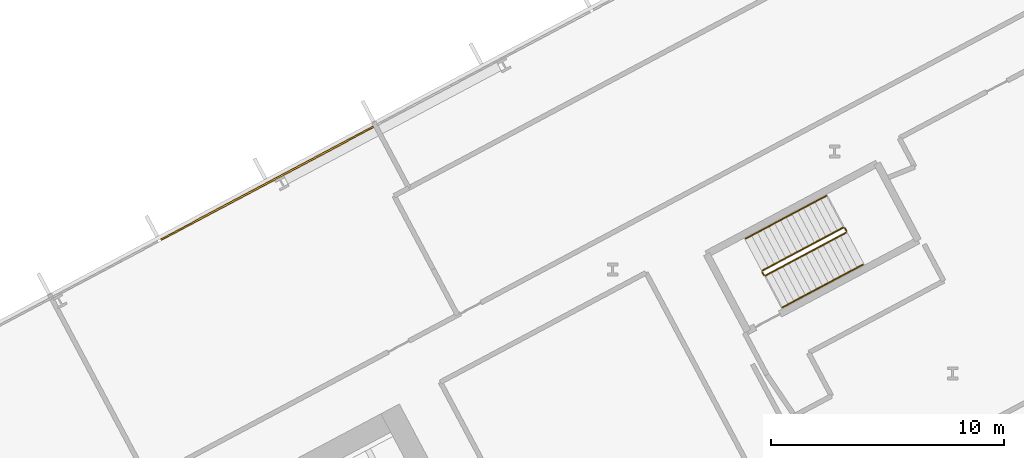
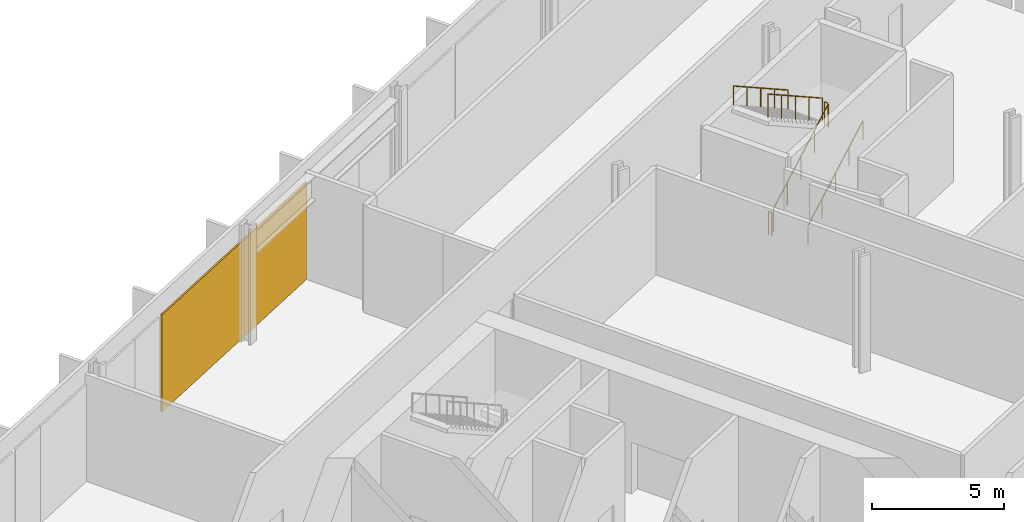
# One storey, part 30 of 31: 6 railings, 1 covering, 1 element without a shape of its own.
"""IFC4 building model written with IfcOpenShell, lengths in metres."""

from ifc_helpers import new_model, si_unit, direction, frame, origin, origin_2d, place, context, subcontext, project, spatial, polyline, rectangle, outline, extrude, material, layer, layer_set, type_object, element, aggregate, save


model = new_model("IFC4")

# Units and contexts
model_context = context("Model", 3, precision=1e-05, world=origin(), true_north=direction((0.0, 1.0)))
body_context = subcontext(model_context, "Body", "Model", "MODEL_VIEW")
ifc_project = project(units=[si_unit("LENGTHUNIT", "METRE"), si_unit("AREAUNIT", "SQUARE_METRE"), si_unit("VOLUMEUNIT", "CUBIC_METRE"), si_unit("PLANEANGLEUNIT", "RADIAN"), si_unit("MASSUNIT", "GRAM", prefix="KILO")], contexts=[model_context])

# Site, building, storey
site_placement = place(None, origin())
site = spatial("IfcSite", under=ifc_project, at=site_placement, CompositionType="ELEMENT")
building_placement = place(site_placement, origin())
building = spatial("IfcBuilding", under=site, at=building_placement, Name="Cormorant Relay Tower", CompositionType="ELEMENT")
storey_placement = place(building_placement, frame((0.0, 0.0, 33.800048828125)))
storey = spatial("IfcBuildingStorey", under=building, at=storey_placement, Name="L06", CompositionType="ELEMENT", Elevation=33.800048828125)

# Curtain wall, covering
ifc_material_1 = material(Name="Aluminium 6063-T6 anodised bronze", Category="aluminium")
ifc_layer_1 = layer(ifc_material_1, 0.235107421875)
ifc_layer_set_1 = layer_set([ifc_layer_1], Name="CW6 data hall curtain wall with mineral wool panels")
curtain_wall_type = type_object("IfcCurtainWallType", Name="CW6 data hall curtain wall with mineral wool panels", PredefinedType="NOTDEFINED", material=ifc_layer_set_1)
curtain_wall_placement = place(storey_placement, origin())
curtain_wall = element("IfcCurtainWall", 1, at=curtain_wall_placement, inside=storey, type_object=curtain_wall_type, Name="CW6 curtain wall 6", PredefinedType="NOTDEFINED")
ifc_material_2 = material(Name="Mineral wool cored anodised bronze aluminium cassette panel", Category="aluminium")
ifc_layer_2 = layer(ifc_material_2, 0.074951171875)
ifc_layer_set_2 = layer_set([ifc_layer_2], Name="CW6 mineral wool cassette panel 75")
covering_type = type_object("IfcCoveringType", Name="CW6 mineral wool cassette panel 75", PredefinedType="CLADDING", material=ifc_layer_set_2)
covering_placement = place(storey_placement, frame((23.193603515625, 36.15869140625, 0.0), z_axis=(0.0, 0.0, 1.0), x_axis=(-0.882947592859, -0.469471562786, 0.0)))
covering = element("IfcCovering", 2, at=covering_placement, type_object=covering_type, Name="CW6 panel S05", PredefinedType="CLADDING", context=body_context, shape_type="SweptSolid", body=[
    extrude(rectangle(XDim=10.365234375, YDim=0.074951171875, at=origin_2d()), origin(), (0.0, 0.0, 1.0), 4.5),
])
aggregate(curtain_wall, [covering])

# Railings
ifc_material_3 = material(Name="Steel ASTM A572 Grade 50 (Fy 345 MPa)", Category="steel")
railing_type_1 = type_object("IfcRailingType", Name="Stair guard 1100", PredefinedType="GUARDRAIL", material=ifc_material_3)
railing_1_placement = place(storey_placement, frame((44.583740234375, 32.186279296875, 0.179931640625)))
element("IfcRailing", 3, at=railing_1_placement, inside=storey, type_object=railing_type_1, Name="L06 RB1 stair guard 1", PredefinedType="GUARDRAIL", context=body_context, shape_type="SweptSolid", body=[
    extrude(outline(polyline([(0.022216796875, 0.00927734375), (0.00927734375, 0.022216796875), (-0.00927734375, 0.022216796875), (-0.022216796875, 0.00927734375), (-0.022216796875, -0.00927734375), (-0.00927734375, -0.022216796875), (0.00927734375, -0.022216796875), (0.022216796875, -0.00927734375), (0.022216796875, 0.00927734375)])), frame((0.0, 0.0, 1.076171875), z_axis=(0.74271721126, 0.394907409077, 0.540758062681), x_axis=(-0.469469396681, 0.882948744594, 0.0)), (0.0, 0.0, 1.0), 4.66015625),
    extrude(outline(polyline([(0.019287109375, 0.008056640625), (0.008056640625, 0.019287109375), (-0.008056640625, 0.019287109375), (-0.019287109375, 0.008056640625), (-0.019287109375, -0.008056640625), (-0.008056640625, -0.019287109375), (0.008056640625, -0.019287109375), (0.019287109375, -0.008056640625), (0.019287109375, 0.008056640625)])), origin(), (0.0, 0.0, 1.0), 1.052001953125),
    extrude(outline(polyline([(0.019287109375, 0.008056640625), (0.008056640625, 0.019287109375), (-0.008056640625, 0.019287109375), (-0.019287109375, 0.008056640625), (-0.019287109375, -0.008056640625), (-0.008056640625, -0.019287109375), (0.008056640625, -0.019287109375), (0.019287109375, -0.008056640625), (0.019287109375, 0.008056640625)])), frame((0.865234375, 0.4599609375, 0.6298828125)), (0.0, 0.0, 1.0), 1.052001953125),
    extrude(outline(polyline([(0.019287109375, 0.008056640625), (0.008056640625, 0.019287109375), (-0.008056640625, 0.019287109375), (-0.019287109375, 0.008056640625), (-0.019287109375, -0.008056640625), (-0.008056640625, -0.019287109375), (0.008056640625, -0.019287109375), (0.019287109375, -0.008056640625), (0.019287109375, 0.008056640625)])), frame((1.73046875, 0.920166015625, 1.260009765625)), (0.0, 0.0, 1.0), 1.052001953125),
    extrude(outline(polyline([(0.019287109375, 0.008056640625), (0.008056640625, 0.019287109375), (-0.008056640625, 0.019287109375), (-0.019287109375, 0.008056640625), (-0.019287109375, -0.008056640625), (-0.008056640625, -0.019287109375), (0.008056640625, -0.019287109375), (0.019287109375, -0.008056640625), (0.019287109375, 0.008056640625)])), frame((2.595947265625, 1.38037109375, 1.89013671875)), (0.0, 0.0, 1.0), 1.052001953125),
    extrude(outline(polyline([(0.019287109375, 0.008056640625), (0.008056640625, 0.019287109375), (-0.008056640625, 0.019287109375), (-0.019287109375, 0.008056640625), (-0.019287109375, -0.008056640625), (-0.008056640625, -0.019287109375), (0.008056640625, -0.019287109375), (0.019287109375, -0.008056640625), (0.019287109375, 0.008056640625)])), frame((3.461181640625, 1.84033203125, 2.52001953125)), (0.0, 0.0, 1.0), 1.052001953125),
])
railing_2_placement = place(storey_placement, frame((48.065673828125, 34.09423828125, 2.699951171875)))
element("IfcRailing", 4, at=railing_2_placement, inside=storey, type_object=railing_type_1, Name="L06 RB1 stair guard 2", PredefinedType="GUARDRAIL", context=body_context, shape_type="SweptSolid", body=[
    extrude(outline(polyline([(0.022216796875, 0.00927734375), (0.00927734375, 0.022216796875), (-0.00927734375, 0.022216796875), (-0.022216796875, 0.00927734375), (-0.022216796875, -0.00927734375), (-0.00927734375, -0.022216796875), (0.00927734375, -0.022216796875), (0.022216796875, -0.00927734375), (0.022216796875, 0.00927734375)])), frame((0.0, 0.0, 1.076171875), z_axis=(-0.469828648786, 0.882757634224, 0.0), x_axis=(-0.882757634224, -0.469828648786, 0.0)), (0.0, 0.0, 1.0), 0.150146484375),
    extrude(outline(polyline([(0.019287109375, 0.008056640625), (0.008056640625, 0.019287109375), (-0.008056640625, 0.019287109375), (-0.019287109375, 0.008056640625), (-0.019287109375, -0.008056640625), (-0.008056640625, -0.019287109375), (0.008056640625, -0.019287109375), (0.019287109375, -0.008056640625), (0.019287109375, 0.008056640625)])), origin(), (0.0, 0.0, 1.0), 1.052001953125),
    extrude(outline(polyline([(0.019287109375, 0.008056640625), (0.008056640625, 0.019287109375), (-0.008056640625, 0.019287109375), (-0.019287109375, 0.008056640625), (-0.019287109375, -0.008056640625), (-0.008056640625, -0.019287109375), (0.008056640625, -0.019287109375), (0.019287109375, -0.008056640625), (0.019287109375, 0.008056640625)])), frame((-0.070556640625, 0.132568359375, 0.0)), (0.0, 0.0, 1.0), 1.052001953125),
])
railing_3_placement = place(storey_placement, frame((47.927490234375, 34.24755859375, 2.8798828125)))
element("IfcRailing", 5, at=railing_3_placement, inside=storey, type_object=railing_type_1, Name="L06 RB1 stair guard 3", PredefinedType="GUARDRAIL", context=body_context, shape_type="SweptSolid", body=[
    extrude(outline(polyline([(0.022216796875, 0.00927734375), (0.00927734375, 0.022216796875), (-0.00927734375, 0.022216796875), (-0.022216796875, 0.00927734375), (-0.022216796875, -0.00927734375), (-0.00927734375, -0.022216796875), (0.00927734375, -0.022216796875), (0.022216796875, -0.00927734375), (0.022216796875, 0.00927734375)])), frame((0.0, 0.0, 1.076171875), z_axis=(-0.74271721126, -0.394907409077, 0.540758062681), x_axis=(0.469469396681, -0.882948744594, 0.0)), (0.0, 0.0, 1.0), 4.66015625),
    extrude(outline(polyline([(0.019287109375, 0.008056640625), (0.008056640625, 0.019287109375), (-0.008056640625, 0.019287109375), (-0.019287109375, 0.008056640625), (-0.019287109375, -0.008056640625), (-0.008056640625, -0.019287109375), (0.008056640625, -0.019287109375), (0.019287109375, -0.008056640625), (0.019287109375, 0.008056640625)])), origin(), (0.0, 0.0, 1.0), 1.052001953125),
    extrude(outline(polyline([(0.019287109375, 0.008056640625), (0.008056640625, 0.019287109375), (-0.008056640625, 0.019287109375), (-0.019287109375, 0.008056640625), (-0.019287109375, -0.008056640625), (-0.008056640625, -0.019287109375), (0.008056640625, -0.019287109375), (0.019287109375, -0.008056640625), (0.019287109375, 0.008056640625)])), frame((-0.865234375, -0.4599609375, 0.6298828125)), (0.0, 0.0, 1.0), 1.052001953125),
    extrude(outline(polyline([(0.019287109375, 0.008056640625), (0.008056640625, 0.019287109375), (-0.008056640625, 0.019287109375), (-0.019287109375, 0.008056640625), (-0.019287109375, -0.008056640625), (-0.008056640625, -0.019287109375), (0.008056640625, -0.019287109375), (0.019287109375, -0.008056640625), (0.019287109375, 0.008056640625)])), frame((-1.73046875, -0.920166015625, 1.260009765625)), (0.0, 0.0, 1.0), 1.052001953125),
    extrude(outline(polyline([(0.019287109375, 0.008056640625), (0.008056640625, 0.019287109375), (-0.008056640625, 0.019287109375), (-0.019287109375, 0.008056640625), (-0.019287109375, -0.008056640625), (-0.008056640625, -0.019287109375), (0.008056640625, -0.019287109375), (0.019287109375, -0.008056640625), (0.019287109375, 0.008056640625)])), frame((-2.595947265625, -1.38037109375, 1.89013671875)), (0.0, 0.0, 1.0), 1.052001953125),
    extrude(outline(polyline([(0.019287109375, 0.008056640625), (0.008056640625, 0.019287109375), (-0.008056640625, 0.019287109375), (-0.019287109375, 0.008056640625), (-0.019287109375, -0.008056640625), (-0.008056640625, -0.019287109375), (0.008056640625, -0.019287109375), (0.019287109375, -0.008056640625), (0.019287109375, 0.008056640625)])), frame((-3.461181640625, -1.84033203125, 2.52001953125)), (0.0, 0.0, 1.0), 1.052001953125),
])
railing_4_placement = place(storey_placement, frame((44.51611328125, 32.20703125, 0.0)))
element("IfcRailing", 6, at=railing_4_placement, inside=storey, type_object=railing_type_1, Name="L06 RB1 stair guard 4", PredefinedType="GUARDRAIL", context=body_context, shape_type="SweptSolid", body=[
    extrude(outline(polyline([(0.022216796875, 0.00927734375), (0.00927734375, 0.022216796875), (-0.00927734375, 0.022216796875), (-0.022216796875, 0.00927734375), (-0.022216796875, -0.00927734375), (-0.00927734375, -0.022216796875), (0.00927734375, -0.022216796875), (0.022216796875, -0.00927734375), (0.022216796875, 0.00927734375)])), frame((0.0, 0.0, 1.076171875), z_axis=(-0.46856034887, 0.8834314911, 0.0), x_axis=(-0.8834314911, -0.46856034887, 0.0)), (0.0, 0.0, 1.0), 0.150146484375),
    extrude(outline(polyline([(0.019287109375, 0.008056640625), (0.008056640625, 0.019287109375), (-0.008056640625, 0.019287109375), (-0.019287109375, 0.008056640625), (-0.019287109375, -0.008056640625), (-0.008056640625, -0.019287109375), (0.008056640625, -0.019287109375), (0.019287109375, -0.008056640625), (0.019287109375, 0.008056640625)])), origin(), (0.0, 0.0, 1.0), 1.052001953125),
    extrude(outline(polyline([(0.019287109375, 0.008056640625), (0.008056640625, 0.019287109375), (-0.008056640625, 0.019287109375), (-0.019287109375, 0.008056640625), (-0.019287109375, -0.008056640625), (-0.008056640625, -0.019287109375), (0.008056640625, -0.019287109375), (0.019287109375, -0.008056640625), (0.019287109375, 0.008056640625)])), frame((-0.0703125, 0.132568359375, 0.0)), (0.0, 0.0, 1.0), 1.052001953125),
])
ifc_material_4 = material(Name="Steel ASTM A572 Grade 50 (Fy 345 MPa)", Category="steel")
railing_type_2 = type_object("IfcRailingType", Name="Stair handrail 900", PredefinedType="HANDRAIL", material=ifc_material_4)
railing_5_placement = place(storey_placement, frame((45.3115234375, 30.81787109375, 0.179931640625)))
element("IfcRailing", 7, at=railing_5_placement, inside=storey, type_object=railing_type_2, Name="L06 RB1 stair handrail 1", PredefinedType="HANDRAIL", context=body_context, shape_type="SweptSolid", body=[
    extrude(outline(polyline([(0.022216796875, 0.00927734375), (0.00927734375, 0.022216796875), (-0.00927734375, 0.022216796875), (-0.022216796875, 0.00927734375), (-0.022216796875, -0.00927734375), (-0.00927734375, -0.022216796875), (0.00927734375, -0.022216796875), (0.022216796875, -0.00927734375), (0.022216796875, 0.00927734375)])), frame((0.0, 0.0, 0.8759765625), z_axis=(0.74271721126, 0.394907409077, 0.540758062681), x_axis=(-0.469469396681, 0.882948744594, 0.0)), (0.0, 0.0, 1.0), 4.66015625),
    extrude(outline(polyline([(0.019287109375, 0.008056640625), (0.008056640625, 0.019287109375), (-0.008056640625, 0.019287109375), (-0.019287109375, 0.008056640625), (-0.019287109375, -0.008056640625), (-0.008056640625, -0.019287109375), (0.008056640625, -0.019287109375), (0.019287109375, -0.008056640625), (0.019287109375, 0.008056640625)])), origin(), (0.0, 0.0, 1.0), 0.851806640625),
    extrude(outline(polyline([(0.019287109375, 0.008056640625), (0.008056640625, 0.019287109375), (-0.008056640625, 0.019287109375), (-0.019287109375, 0.008056640625), (-0.019287109375, -0.008056640625), (-0.008056640625, -0.019287109375), (0.008056640625, -0.019287109375), (0.019287109375, -0.008056640625), (0.019287109375, 0.008056640625)])), frame((0.865234375, 0.4599609375, 0.6298828125)), (0.0, 0.0, 1.0), 0.851806640625),
    extrude(outline(polyline([(0.019287109375, 0.008056640625), (0.008056640625, 0.019287109375), (-0.008056640625, 0.019287109375), (-0.019287109375, 0.008056640625), (-0.019287109375, -0.008056640625), (-0.008056640625, -0.019287109375), (0.008056640625, -0.019287109375), (0.019287109375, -0.008056640625), (0.019287109375, 0.008056640625)])), frame((1.73046875, 0.920166015625, 1.260009765625)), (0.0, 0.0, 1.0), 0.851806640625),
    extrude(outline(polyline([(0.019287109375, 0.008056640625), (0.008056640625, 0.019287109375), (-0.008056640625, 0.019287109375), (-0.019287109375, 0.008056640625), (-0.019287109375, -0.008056640625), (-0.008056640625, -0.019287109375), (0.008056640625, -0.019287109375), (0.019287109375, -0.008056640625), (0.019287109375, 0.008056640625)])), frame((2.595947265625, 1.38037109375, 1.89013671875)), (0.0, 0.0, 1.0), 0.851806640625),
    extrude(outline(polyline([(0.019287109375, 0.008056640625), (0.008056640625, 0.019287109375), (-0.008056640625, 0.019287109375), (-0.019287109375, 0.008056640625), (-0.019287109375, -0.008056640625), (-0.008056640625, -0.019287109375), (0.008056640625, -0.019287109375), (0.019287109375, -0.008056640625), (0.019287109375, 0.008056640625)])), frame((3.461181640625, 1.84033203125, 2.52001953125)), (0.0, 0.0, 1.0), 0.851806640625),
])
railing_6_placement = place(storey_placement, frame((47.199951171875, 35.615966796875, 2.8798828125)))
element("IfcRailing", 8, at=railing_6_placement, inside=storey, type_object=railing_type_2, Name="L06 RB1 stair handrail 2", PredefinedType="HANDRAIL", context=body_context, shape_type="SweptSolid", body=[
    extrude(outline(polyline([(0.022216796875, 0.00927734375), (0.00927734375, 0.022216796875), (-0.00927734375, 0.022216796875), (-0.022216796875, 0.00927734375), (-0.022216796875, -0.00927734375), (-0.00927734375, -0.022216796875), (0.00927734375, -0.022216796875), (0.022216796875, -0.00927734375), (0.022216796875, 0.00927734375)])), frame((0.0, 0.0, 0.8759765625), z_axis=(-0.74271721126, -0.394907409077, 0.540758062681), x_axis=(0.469469396681, -0.882948744594, 0.0)), (0.0, 0.0, 1.0), 4.66015625),
    extrude(outline(polyline([(0.019287109375, 0.008056640625), (0.008056640625, 0.019287109375), (-0.008056640625, 0.019287109375), (-0.019287109375, 0.008056640625), (-0.019287109375, -0.008056640625), (-0.008056640625, -0.019287109375), (0.008056640625, -0.019287109375), (0.019287109375, -0.008056640625), (0.019287109375, 0.008056640625)])), origin(), (0.0, 0.0, 1.0), 0.851806640625),
    extrude(outline(polyline([(0.019287109375, 0.008056640625), (0.008056640625, 0.019287109375), (-0.008056640625, 0.019287109375), (-0.019287109375, 0.008056640625), (-0.019287109375, -0.008056640625), (-0.008056640625, -0.019287109375), (0.008056640625, -0.019287109375), (0.019287109375, -0.008056640625), (0.019287109375, 0.008056640625)])), frame((-0.865234375, -0.4599609375, 0.6298828125)), (0.0, 0.0, 1.0), 0.851806640625),
    extrude(outline(polyline([(0.019287109375, 0.008056640625), (0.008056640625, 0.019287109375), (-0.008056640625, 0.019287109375), (-0.019287109375, 0.008056640625), (-0.019287109375, -0.008056640625), (-0.008056640625, -0.019287109375), (0.008056640625, -0.019287109375), (0.019287109375, -0.008056640625), (0.019287109375, 0.008056640625)])), frame((-1.73046875, -0.920166015625, 1.260009765625)), (0.0, 0.0, 1.0), 0.851806640625),
    extrude(outline(polyline([(0.019287109375, 0.008056640625), (0.008056640625, 0.019287109375), (-0.008056640625, 0.019287109375), (-0.019287109375, 0.008056640625), (-0.019287109375, -0.008056640625), (-0.008056640625, -0.019287109375), (0.008056640625, -0.019287109375), (0.019287109375, -0.008056640625), (0.019287109375, 0.008056640625)])), frame((-2.595947265625, -1.38037109375, 1.89013671875)), (0.0, 0.0, 1.0), 0.851806640625),
    extrude(outline(polyline([(0.019287109375, 0.008056640625), (0.008056640625, 0.019287109375), (-0.008056640625, 0.019287109375), (-0.019287109375, 0.008056640625), (-0.019287109375, -0.008056640625), (-0.008056640625, -0.019287109375), (0.008056640625, -0.019287109375), (0.019287109375, -0.008056640625), (0.019287109375, 0.008056640625)])), frame((-3.461181640625, -1.84033203125, 2.52001953125)), (0.0, 0.0, 1.0), 0.851806640625),
])

save(model, "model.ifc")
